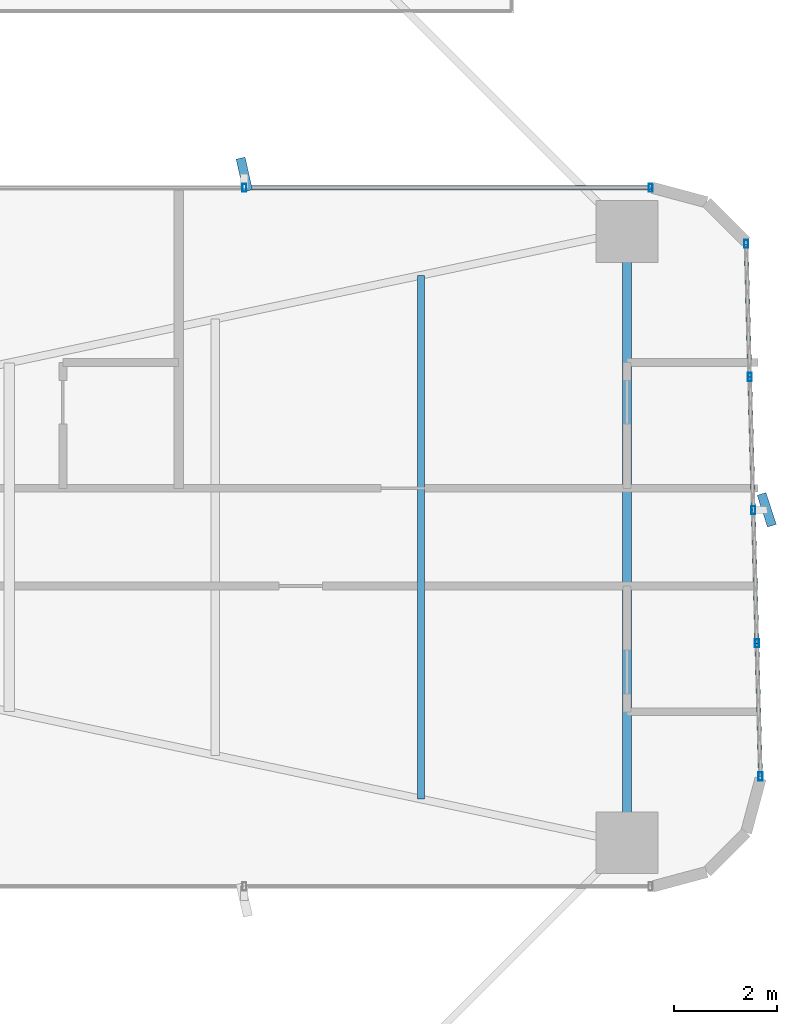
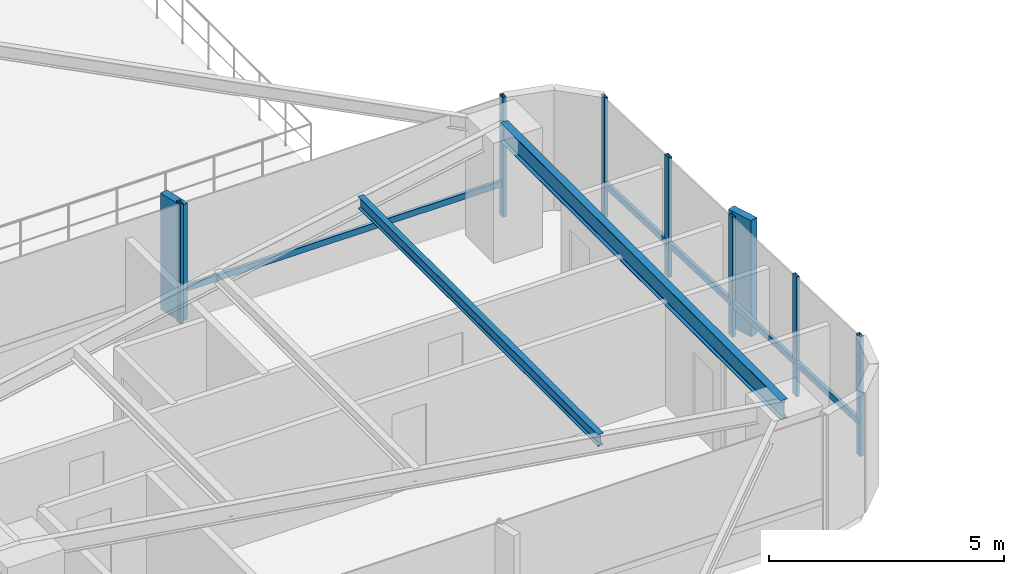
# One storey, part 15 of 27: 14 members, 2 beams, 2 elements without a shape of their own.
"""IFC4 building model written with IfcOpenShell, lengths in metres."""

from ifc_helpers import new_model, si_unit, direction, frame, origin, origin_2d, place, context, subcontext, project, spatial, rectangle, hollow_rectangle, i_section, extrude, source, transform, mapped, material, material_profile, profile_set, type_object, element, aggregate, save


model = new_model("IFC4")

# Units and contexts
model_context = context("Model", 3, precision=1e-05, world=origin(), true_north=direction((0.0, 1.0)))
body_context = subcontext(model_context, "Body", "Model", "MODEL_VIEW")
ifc_project = project(units=[si_unit("LENGTHUNIT", "METRE"), si_unit("AREAUNIT", "SQUARE_METRE"), si_unit("VOLUMEUNIT", "CUBIC_METRE"), si_unit("PLANEANGLEUNIT", "RADIAN"), si_unit("MASSUNIT", "GRAM", prefix="KILO")], contexts=[model_context])

# Site, building, storey
site_placement = place(None, origin())
site = spatial("IfcSite", under=ifc_project, at=site_placement, CompositionType="ELEMENT")
building_placement = place(site_placement, origin())
building = spatial("IfcBuilding", under=site, at=building_placement, Name="Sahyath Konkavel Grand Hotel", CompositionType="ELEMENT")
storey_placement = place(building_placement, frame((0.0, 0.0, 23.10009765625)))
storey = spatial("IfcBuildingStorey", under=building, at=storey_placement, Name="L05", CompositionType="ELEMENT", Elevation=23.10009765625)

# Beams
ifc_material_1 = material(Name="Steel E350", Category="steel")
ifc_material_profile_1 = material_profile(ifc_material_1, i_section(OverallWidth=0.179931640625, OverallDepth=0.5, WebThickness=0.01025390625, FlangeThickness=0.01708984375, FilletRadius=0.01708984375, at=origin_2d()), Name="ISMB 500")
ifc_profile_set_1 = profile_set([ifc_material_profile_1], Name="Steel E350")
beam_type_1 = type_object("IfcBeamType", Name="BM-ISMB500", PredefinedType="BEAM", material=ifc_profile_set_1)
shared_shape_1 = source(origin(), body_context, "Body", "SweptSolid", [
    extrude(i_section(OverallWidth=0.179931640625, OverallDepth=0.5, WebThickness=0.01025390625, FlangeThickness=0.01708984375, FilletRadius=0.01708984375, at=origin_2d()), origin(), (0.0, 0.0, 1.0), 11.89990234375),
])
beam_1_placement = place(storey_placement, frame((22.199951171875, -5.949951171875, 2.85986328125), z_axis=(0.0, 1.0, 0.0), x_axis=(-1.0, 0.0, 0.0)))
element("IfcBeam", 1, at=beam_1_placement, inside=storey, type_object=beam_type_1, Name="L05 Wing Tip Edge Beam E", PredefinedType="BEAM", context=body_context, shape_type="MappedRepresentation", body=[
    mapped(shared_shape_1, transform((0.0, 0.0, 0.0), scale=1.0)),
])
ifc_material_profile_2 = material_profile(ifc_material_1, i_section(OverallWidth=0.139892578125, OverallDepth=0.300048828125, WebThickness=0.0078125, FlangeThickness=0.01318359375, FilletRadius=0.013916015625, at=origin_2d()), Name="ISMB 300")
ifc_profile_set_2 = profile_set([ifc_material_profile_2], Name="Steel E350")
beam_type_2 = type_object("IfcBeamType", Name="BM-ISMB300", PredefinedType="BEAM", material=ifc_profile_set_2)
shared_shape_2 = source(origin(), body_context, "Body", "SweptSolid", [
    extrude(i_section(OverallWidth=0.139892578125, OverallDepth=0.300048828125, WebThickness=0.0078125, FlangeThickness=0.01318359375, FilletRadius=0.013916015625, at=origin_2d()), origin(), (0.0, 0.0, 1.0), 10.19580078125),
])
beam_2_placement = place(storey_placement, frame((18.19189453125, -5.097900390625, 2.9599609375), z_axis=(0.0, 1.0, 0.0), x_axis=(-1.0, 0.0, 0.0)))
element("IfcBeam", 2, at=beam_2_placement, inside=storey, type_object=beam_type_2, Name="L05 Secondary Floor Beam E-3", PredefinedType="BEAM", context=body_context, shape_type="MappedRepresentation", body=[
    mapped(shared_shape_2, transform((0.0, 0.0, 0.0), scale=1.0)),
])

# Curtain wall, members
ifc_material_2 = material(Name="Anodised Bronze Aluminium & Low-E Glazing", Category="aluminium")
curtain_wall_type = type_object("IfcCurtainWallType", Name="CW-ZONE1", PredefinedType="NOTDEFINED", material=ifc_material_2)
curtain_wall_1_placement = place(storey_placement, origin())
curtain_wall_1 = element("IfcCurtainWall", 3, at=curtain_wall_1_placement, inside=storey, type_object=curtain_wall_type, Name="L05 Unitised Curtain Wall F4", PredefinedType="NOTDEFINED")
ifc_material_3 = material(Name="Anodised Bronze Aluminium", Category="aluminium")
ifc_material_profile_3 = material_profile(ifc_material_3, hollow_rectangle(XDim=0.080078125, YDim=0.159912109375, WallThickness=0.006103515625, at=origin_2d()), Name="RHS 160x80x6")
ifc_profile_set_3 = profile_set([ifc_material_profile_3], Name="Anodised Bronze Aluminium")
member_type_1 = type_object("IfcMemberType", Name="CW-MUL-160", PredefinedType="MULLION", material=ifc_profile_set_3)
shared_shape_3 = source(origin(), body_context, "Body", "SweptSolid", [
    extrude(hollow_rectangle(XDim=0.080078125, YDim=0.159912109375, WallThickness=0.006103515625, at=origin_2d()), origin(), (0.0, 0.0, 1.0), 3.10986328125),
])
member_1_placement = place(storey_placement, frame((24.798828125, -4.659912109375, 0.0), z_axis=(0.0, 0.0, 1.0), x_axis=(1.0, 0.0, 0.0)))
member_1 = element("IfcMember", 4, at=member_1_placement, type_object=member_type_1, Name="L05 Curtain Wall Mullion F4-0", PredefinedType="MULLION", context=body_context, shape_type="MappedRepresentation", body=[
    mapped(shared_shape_3, transform((0.0, 0.0, 0.0), scale=1.0)),
])
member_2_placement = place(storey_placement, frame((24.72900390625, -2.0673828125, 0.0), z_axis=(0.0, 0.0, 1.0), x_axis=(1.0, 0.0, 0.0)))
member_2 = element("IfcMember", 5, at=member_2_placement, type_object=member_type_1, Name="L05 Curtain Wall Mullion F4-1", PredefinedType="MULLION", context=body_context, shape_type="MappedRepresentation", body=[
    mapped(shared_shape_3, transform((0.0, 0.0, 0.0), scale=1.0)),
])
member_3_placement = place(storey_placement, frame((24.6591796875, 0.52490234375, 0.0), z_axis=(0.0, 0.0, 1.0), x_axis=(1.0, 0.0, 0.0)))
member_3 = element("IfcMember", 6, at=member_3_placement, type_object=member_type_1, Name="L05 Curtain Wall Mullion F4-2", PredefinedType="MULLION", context=body_context, shape_type="MappedRepresentation", body=[
    mapped(shared_shape_3, transform((0.0, 0.0, 0.0), scale=1.0)),
])
member_4_placement = place(storey_placement, frame((24.589599609375, 3.117431640625, 0.0), z_axis=(0.0, 0.0, 1.0), x_axis=(1.0, 0.0, 0.0)))
member_4 = element("IfcMember", 7, at=member_4_placement, type_object=member_type_1, Name="L05 Curtain Wall Mullion F4-3", PredefinedType="MULLION", context=body_context, shape_type="MappedRepresentation", body=[
    mapped(shared_shape_3, transform((0.0, 0.0, 0.0), scale=1.0)),
])
member_5_placement = place(storey_placement, frame((24.519775390625, 5.7099609375, 0.0), z_axis=(0.0, 0.0, 1.0), x_axis=(1.0, 0.0, 0.0)))
member_5 = element("IfcMember", 8, at=member_5_placement, type_object=member_type_1, Name="L05 Curtain Wall Mullion F4-4", PredefinedType="MULLION", context=body_context, shape_type="MappedRepresentation", body=[
    mapped(shared_shape_3, transform((0.0, 0.0, 0.0), scale=1.0)),
])

curtain_wall_2_placement = place(storey_placement, origin())
curtain_wall_2 = element("IfcCurtainWall", 9, at=curtain_wall_2_placement, inside=storey, type_object=curtain_wall_type, Name="L05 Unitised Curtain Wall F7", PredefinedType="NOTDEFINED")
member_6_placement = place(storey_placement, frame((22.659912109375, 6.800048828125, 0.0), z_axis=(0.0, 0.0, 1.0), x_axis=(1.0, 0.0, 0.0)))
member_6 = element("IfcMember", 10, at=member_6_placement, type_object=member_type_1, Name="L05 Curtain Wall Mullion F7-0", PredefinedType="MULLION", context=body_context, shape_type="MappedRepresentation", body=[
    mapped(shared_shape_3, transform((0.0, 0.0, 0.0), scale=1.0)),
])
member_7_placement = place(storey_placement, frame((14.75, 6.800048828125, 0.0), z_axis=(0.0, 0.0, 1.0), x_axis=(1.0, 0.0, 0.0)))
member_7 = element("IfcMember", 11, at=member_7_placement, type_object=member_type_1, Name="L05 Curtain Wall Mullion F7-1", PredefinedType="MULLION", context=body_context, shape_type="MappedRepresentation", body=[
    mapped(shared_shape_3, transform((0.0, 0.0, 0.0), scale=1.0)),
])

# Member
ifc_material_4 = material(Name="Warm Buff Sandstone Cladding on Concrete C50/60", Category="masonry")
ifc_material_profile_4 = material_profile(ifc_material_4, rectangle(XDim=0.179931640625, YDim=0.64990234375, at=origin_2d()), Name="FIN 180x650")
ifc_profile_set_4 = profile_set([ifc_material_profile_4], Name="Warm Buff Sandstone Cladding on Concrete C50/60")
member_type_2 = type_object("IfcMemberType", Name="FIN-SANDSTONE-650", PredefinedType="MULLION", material=ifc_profile_set_4)
shared_shape_4 = source(origin(), body_context, "Body", "SweptSolid", [
    extrude(rectangle(XDim=0.179931640625, YDim=0.64990234375, at=origin_2d()), origin(), (0.0, 0.0, 1.0), 3.010009765625),
])
member_8_placement = place(storey_placement, frame((24.919189453125, 0.531982421875, 0.0498046875), z_axis=(0.0, 0.0, 1.0), x_axis=(0.951056516295, 0.309016994375, 0.0)))
member_8 = element("IfcMember", 12, at=member_8_placement, type_object=member_type_2, Name="L05 Sandstone Vertical Solar Fin FIN F4-2", PredefinedType="MULLION", context=body_context, shape_type="MappedRepresentation", body=[
    mapped(shared_shape_4, transform((0.0, 0.0, 0.0), scale=1.0)),
])

member_9_placement = place(storey_placement, frame((14.75, 7.06005859375, 0.0498046875), z_axis=(0.0, 0.0, 1.0), x_axis=(0.975419299024, 0.220356962886, 0.0)))
member_9 = element("IfcMember", 13, at=member_9_placement, type_object=member_type_2, Name="L05 Sandstone Vertical Solar Fin FIN F7-1", PredefinedType="MULLION", context=body_context, shape_type="MappedRepresentation", body=[
    mapped(shared_shape_4, transform((0.0, 0.0, 0.0), scale=1.0)),
])

ifc_material_profile_5 = material_profile(ifc_material_3, hollow_rectangle(XDim=0.080078125, YDim=0.159912109375, WallThickness=0.006103515625, at=origin_2d()), Name="RHS 160x80x6")
ifc_profile_set_5 = profile_set([ifc_material_profile_5], Name="Anodised Bronze Aluminium")
member_type_3 = type_object("IfcMemberType", Name="CW-TRN-160", PredefinedType="USERDEFINED", material=ifc_profile_set_5)
shared_shape_5 = source(origin(), body_context, "Body", "SweptSolid", [
    extrude(hollow_rectangle(XDim=0.080078125, YDim=0.159912109375, WallThickness=0.006103515625, at=origin_2d()), origin(), (0.0, 0.0, 1.0), 7.909912109375),
])
member_10_placement = place(storey_placement, frame((22.659912109375, 6.800048828125, 0.849853515625), z_axis=(-1.0, 0.0, 0.0), x_axis=(0.0, -1.0, 0.0)))
member_10 = element("IfcMember", 14, at=member_10_placement, type_object=member_type_3, Name="L05 Curtain Wall Transom F7-0-spandrel", ObjectType="TRANSOM", PredefinedType="USERDEFINED", context=body_context, shape_type="MappedRepresentation", body=[
    mapped(shared_shape_5, transform((0.0, 0.0, 0.0), scale=1.0)),
])

aggregate(curtain_wall_2, [member_6, member_7, member_9, member_10])

shared_shape_6 = source(origin(), body_context, "Body", "SweptSolid", [
    extrude(hollow_rectangle(XDim=0.080078125, YDim=0.159912109375, WallThickness=0.006103515625, at=origin_2d()), origin(), (0.0, 0.0, 1.0), 2.593505859375),
])
member_11_placement = place(storey_placement, frame((24.798828125, -4.659912109375, 0.849853515625), z_axis=(-0.026923093252, 0.999637507825, 0.0), x_axis=(-0.999637507825, -0.026923093252, 0.0)))
member_11 = element("IfcMember", 15, at=member_11_placement, type_object=member_type_3, Name="L05 Curtain Wall Transom F4-0-spandrel", ObjectType="TRANSOM", PredefinedType="USERDEFINED", context=body_context, shape_type="MappedRepresentation", body=[
    mapped(shared_shape_6, transform((0.0, 0.0, 0.0), scale=1.0)),
])

member_12_placement = place(storey_placement, frame((24.6591796875, 0.52490234375, 0.849853515625), z_axis=(-0.02682902444, 0.999640036937, 0.0), x_axis=(-0.999640036937, -0.02682902444, 0.0)))
member_12 = element("IfcMember", 16, at=member_12_placement, type_object=member_type_3, Name="L05 Curtain Wall Transom F4-2-spandrel", ObjectType="TRANSOM", PredefinedType="USERDEFINED", context=body_context, shape_type="MappedRepresentation", body=[
    mapped(shared_shape_6, transform((0.0, 0.0, 0.0), scale=1.0)),
])

member_13_placement = place(storey_placement, frame((24.589599609375, 3.117431640625, 0.849853515625), z_axis=(-0.026923093252, 0.999637507825, 0.0), x_axis=(-0.999637507825, -0.026923093252, 0.0)))
member_13 = element("IfcMember", 17, at=member_13_placement, type_object=member_type_3, Name="L05 Curtain Wall Transom F4-3-spandrel", ObjectType="TRANSOM", PredefinedType="USERDEFINED", context=body_context, shape_type="MappedRepresentation", body=[
    mapped(shared_shape_6, transform((0.0, 0.0, 0.0), scale=1.0)),
])

shared_shape_7 = source(origin(), body_context, "Body", "SweptSolid", [
    extrude(hollow_rectangle(XDim=0.080078125, YDim=0.159912109375, WallThickness=0.006103515625, at=origin_2d()), origin(), (0.0, 0.0, 1.0), 2.59326171875),
])
member_14_placement = place(storey_placement, frame((24.72900390625, -2.0673828125, 0.849853515625), z_axis=(-0.026925627022, 0.99963743958, 0.0), x_axis=(-0.99963743958, -0.026925627022, 0.0)))
member_14 = element("IfcMember", 18, at=member_14_placement, type_object=member_type_3, Name="L05 Curtain Wall Transom F4-1-spandrel", ObjectType="TRANSOM", PredefinedType="USERDEFINED", context=body_context, shape_type="MappedRepresentation", body=[
    mapped(shared_shape_7, transform((0.0, 0.0, 0.0), scale=1.0)),
])

aggregate(curtain_wall_1, [member_1, member_2, member_3, member_8, member_4, member_5, member_11, member_14, member_12, member_13])

save(model, "model.ifc")
